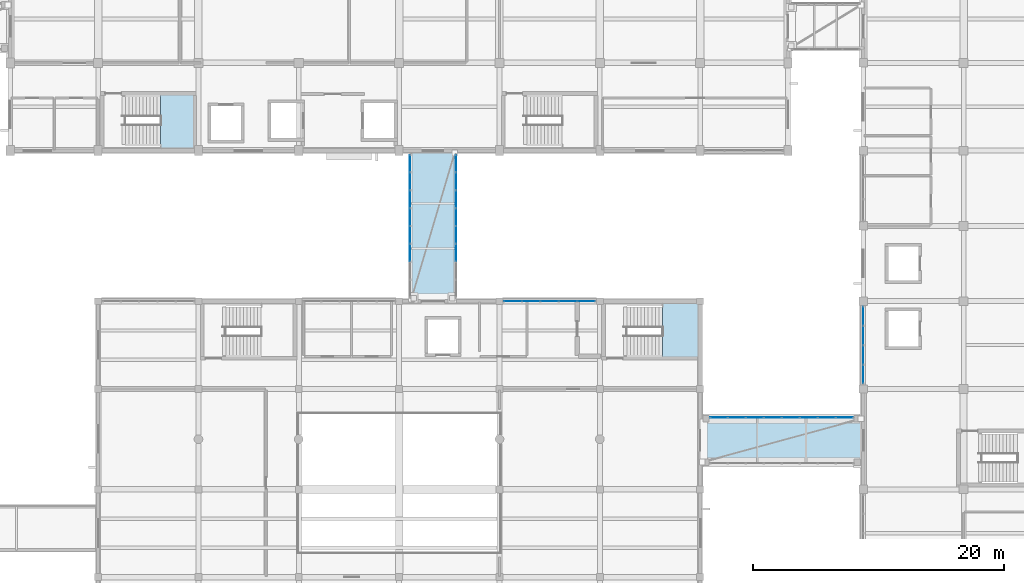
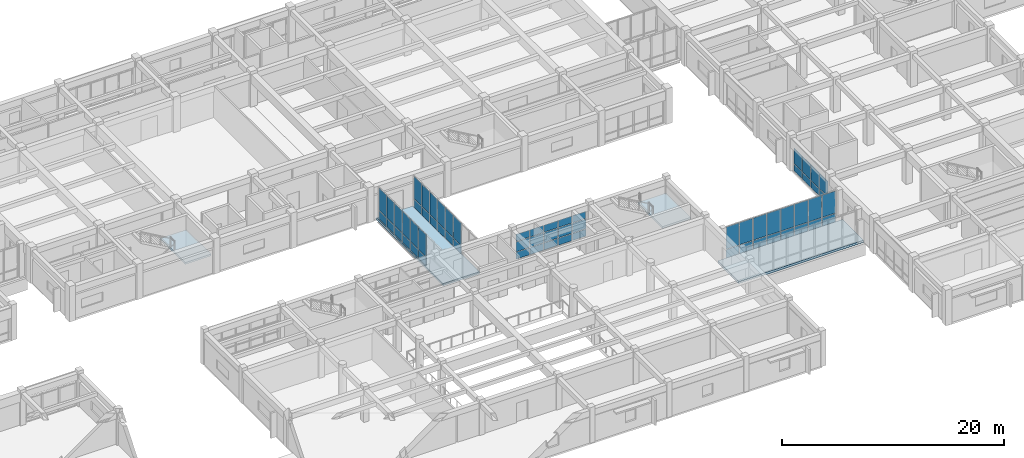
# One storey, part 39 of 66: 63 plates, 4 slabs, 7 elements without a shape of their own.
"""IFC4 building model written with IfcOpenShell, lengths in metres."""

from ifc_helpers import new_model, si_unit, direction, frame, origin, origin_2d, place, context, subcontext, project, spatial, polyline, rectangle, outline, extrude, material, layer, layer_set, type_object, element, aggregate, save


model = new_model("IFC4")

# Units and contexts
model_context = context("Model", 3, precision=1e-05, world=origin(), true_north=direction((0.0, 1.0)))
body_context = subcontext(model_context, "Body", "Model", "MODEL_VIEW")
ifc_project = project(units=[si_unit("LENGTHUNIT", "METRE"), si_unit("AREAUNIT", "SQUARE_METRE"), si_unit("VOLUMEUNIT", "CUBIC_METRE"), si_unit("PLANEANGLEUNIT", "RADIAN"), si_unit("MASSUNIT", "GRAM", prefix="KILO")], contexts=[model_context])

# Site, building, storey
site_placement = place(None, origin())
site = spatial("IfcSite", under=ifc_project, at=site_placement, CompositionType="ELEMENT")
building_placement = place(site_placement, origin())
building = spatial("IfcBuilding", under=site, at=building_placement, Name="Naurynzar Civic Courthouse", CompositionType="ELEMENT")
storey_placement = place(building_placement, frame((0.0, 0.0, 14.39990234375)))
storey = spatial("IfcBuildingStorey", under=building, at=storey_placement, Name="L04", CompositionType="ELEMENT", Elevation=14.39990234375)

# Curtain wall, plates
ifc_material_1 = material(Name="Aluminium 6063-T6", Category="aluminium")
ifc_layer_1 = layer(ifc_material_1, 0.179931640625)
ifc_layer_set_1 = layer_set([ifc_layer_1], Name="CW-UNIT-1500")
curtain_wall_type_1 = type_object("IfcCurtainWallType", Name="CW-UNIT-1500", PredefinedType="NOTDEFINED", material=ifc_layer_set_1)
curtain_wall_1_placement = place(storey_placement, origin())
curtain_wall_1 = element("IfcCurtainWall", 1, at=curtain_wall_1_placement, inside=storey, type_object=curtain_wall_type_1, Name="V3 unitised curtain wall 72 L04", PredefinedType="NOTDEFINED")
ifc_material_2 = material(Name="Tempered Laminated Low-E Glass", Category="glass")
ifc_layer_2 = layer(ifc_material_2, 0.031982421875)
ifc_layer_set_2 = layer_set([ifc_layer_2], Name="CWP-IGU-32")
plate_type = type_object("IfcPlateType", Name="CWP-IGU-32", PredefinedType="CURTAIN_PANEL", material=ifc_layer_set_2)
plate_1_placement = place(storey_placement, frame((102.074951171875, 32.0, 0.06005859375), z_axis=(0.0, 0.0, 1.0), x_axis=(1.0, 0.0, 0.0)))
plate_1 = element("IfcPlate", 2, at=plate_1_placement, type_object=plate_type, Name="CW-01 panel 1.1", PredefinedType="CURTAIN_PANEL", context=body_context, shape_type="SweptSolid", body=[
    extrude(rectangle(XDim=1.3798828125, YDim=0.031982421875, at=origin_2d()), origin(), (0.0, 0.0, 1.0), 0.760009765625),
])
plate_2_placement = place(storey_placement, frame((102.074951171875, 32.0, 0.880126953125), z_axis=(0.0, 0.0, 1.0), x_axis=(1.0, 0.0, 0.0)))
plate_2 = element("IfcPlate", 3, at=plate_2_placement, type_object=plate_type, Name="CW-01 panel 1.2", PredefinedType="CURTAIN_PANEL", context=body_context, shape_type="SweptSolid", body=[
    extrude(rectangle(XDim=1.3798828125, YDim=0.031982421875, at=origin_2d()), origin(), (0.0, 0.0, 1.0), 1.080078125),
])
plate_3_placement = place(storey_placement, frame((102.074951171875, 32.0, 2.02001953125), z_axis=(0.0, 0.0, 1.0), x_axis=(1.0, 0.0, 0.0)))
plate_3 = element("IfcPlate", 4, at=plate_3_placement, type_object=plate_type, Name="CW-01 panel 1.3", PredefinedType="CURTAIN_PANEL", context=body_context, shape_type="SweptSolid", body=[
    extrude(rectangle(XDim=1.3798828125, YDim=0.031982421875, at=origin_2d()), origin(), (0.0, 0.0, 1.0), 0.760009765625),
])
plate_4_placement = place(storey_placement, frame((103.530029296875, 32.0, 0.06005859375), z_axis=(0.0, 0.0, 1.0), x_axis=(1.0, 0.0, 0.0)))
plate_4 = element("IfcPlate", 5, at=plate_4_placement, type_object=plate_type, Name="CW-01 panel 2.1", PredefinedType="CURTAIN_PANEL", context=body_context, shape_type="SweptSolid", body=[
    extrude(rectangle(XDim=1.409912109375, YDim=0.031982421875, at=origin_2d()), origin(), (0.0, 0.0, 1.0), 0.760009765625),
])
plate_5_placement = place(storey_placement, frame((103.530029296875, 32.0, 0.880126953125), z_axis=(0.0, 0.0, 1.0), x_axis=(1.0, 0.0, 0.0)))
plate_5 = element("IfcPlate", 6, at=plate_5_placement, type_object=plate_type, Name="CW-01 panel 2.2", PredefinedType="CURTAIN_PANEL", context=body_context, shape_type="SweptSolid", body=[
    extrude(rectangle(XDim=1.409912109375, YDim=0.031982421875, at=origin_2d()), origin(), (0.0, 0.0, 1.0), 1.080078125),
])
plate_6_placement = place(storey_placement, frame((103.530029296875, 32.0, 2.02001953125), z_axis=(0.0, 0.0, 1.0), x_axis=(1.0, 0.0, 0.0)))
plate_6 = element("IfcPlate", 7, at=plate_6_placement, type_object=plate_type, Name="CW-01 panel 2.3", PredefinedType="CURTAIN_PANEL", context=body_context, shape_type="SweptSolid", body=[
    extrude(rectangle(XDim=1.409912109375, YDim=0.031982421875, at=origin_2d()), origin(), (0.0, 0.0, 1.0), 0.760009765625),
])
plate_7_placement = place(storey_placement, frame((105.0, 32.0, 0.06005859375), z_axis=(0.0, 0.0, 1.0), x_axis=(1.0, 0.0, 0.0)))
plate_7 = element("IfcPlate", 8, at=plate_7_placement, type_object=plate_type, Name="CW-01 panel 3.1", PredefinedType="CURTAIN_PANEL", context=body_context, shape_type="SweptSolid", body=[
    extrude(rectangle(XDim=1.409912109375, YDim=0.031982421875, at=origin_2d()), origin(), (0.0, 0.0, 1.0), 0.760009765625),
])
plate_8_placement = place(storey_placement, frame((105.0, 32.0, 0.880126953125), z_axis=(0.0, 0.0, 1.0), x_axis=(1.0, 0.0, 0.0)))
plate_8 = element("IfcPlate", 9, at=plate_8_placement, type_object=plate_type, Name="CW-01 panel 3.2", PredefinedType="CURTAIN_PANEL", context=body_context, shape_type="SweptSolid", body=[
    extrude(rectangle(XDim=1.409912109375, YDim=0.031982421875, at=origin_2d()), origin(), (0.0, 0.0, 1.0), 1.080078125),
])
plate_9_placement = place(storey_placement, frame((105.0, 32.0, 2.02001953125), z_axis=(0.0, 0.0, 1.0), x_axis=(1.0, 0.0, 0.0)))
plate_9 = element("IfcPlate", 10, at=plate_9_placement, type_object=plate_type, Name="CW-01 panel 3.3", PredefinedType="CURTAIN_PANEL", context=body_context, shape_type="SweptSolid", body=[
    extrude(rectangle(XDim=1.409912109375, YDim=0.031982421875, at=origin_2d()), origin(), (0.0, 0.0, 1.0), 0.760009765625),
])
plate_10_placement = place(storey_placement, frame((106.469970703125, 32.0, 0.06005859375), z_axis=(0.0, 0.0, 1.0), x_axis=(1.0, 0.0, 0.0)))
plate_10 = element("IfcPlate", 11, at=plate_10_placement, type_object=plate_type, Name="CW-01 panel 4.1", PredefinedType="CURTAIN_PANEL", context=body_context, shape_type="SweptSolid", body=[
    extrude(rectangle(XDim=1.409912109375, YDim=0.031982421875, at=origin_2d()), origin(), (0.0, 0.0, 1.0), 0.760009765625),
])
plate_11_placement = place(storey_placement, frame((106.469970703125, 32.0, 0.880126953125), z_axis=(0.0, 0.0, 1.0), x_axis=(1.0, 0.0, 0.0)))
plate_11 = element("IfcPlate", 12, at=plate_11_placement, type_object=plate_type, Name="CW-01 panel 4.2", PredefinedType="CURTAIN_PANEL", context=body_context, shape_type="SweptSolid", body=[
    extrude(rectangle(XDim=1.409912109375, YDim=0.031982421875, at=origin_2d()), origin(), (0.0, 0.0, 1.0), 1.080078125),
])
plate_12_placement = place(storey_placement, frame((106.469970703125, 32.0, 2.02001953125), z_axis=(0.0, 0.0, 1.0), x_axis=(1.0, 0.0, 0.0)))
plate_12 = element("IfcPlate", 13, at=plate_12_placement, type_object=plate_type, Name="CW-01 panel 4.3", PredefinedType="CURTAIN_PANEL", context=body_context, shape_type="SweptSolid", body=[
    extrude(rectangle(XDim=1.409912109375, YDim=0.031982421875, at=origin_2d()), origin(), (0.0, 0.0, 1.0), 0.760009765625),
])
plate_13_placement = place(storey_placement, frame((107.925048828125, 32.0, 0.06005859375), z_axis=(0.0, 0.0, 1.0), x_axis=(1.0, 0.0, 0.0)))
plate_13 = element("IfcPlate", 14, at=plate_13_placement, type_object=plate_type, Name="CW-01 panel 5.1", PredefinedType="CURTAIN_PANEL", context=body_context, shape_type="SweptSolid", body=[
    extrude(rectangle(XDim=1.3798828125, YDim=0.031982421875, at=origin_2d()), origin(), (0.0, 0.0, 1.0), 0.760009765625),
])
plate_14_placement = place(storey_placement, frame((107.925048828125, 32.0, 0.880126953125), z_axis=(0.0, 0.0, 1.0), x_axis=(1.0, 0.0, 0.0)))
plate_14 = element("IfcPlate", 15, at=plate_14_placement, type_object=plate_type, Name="CW-01 panel 5.2", PredefinedType="CURTAIN_PANEL", context=body_context, shape_type="SweptSolid", body=[
    extrude(rectangle(XDim=1.3798828125, YDim=0.031982421875, at=origin_2d()), origin(), (0.0, 0.0, 1.0), 1.080078125),
])
plate_15_placement = place(storey_placement, frame((107.925048828125, 32.0, 2.02001953125), z_axis=(0.0, 0.0, 1.0), x_axis=(1.0, 0.0, 0.0)))
plate_15 = element("IfcPlate", 16, at=plate_15_placement, type_object=plate_type, Name="CW-01 panel 5.3", PredefinedType="CURTAIN_PANEL", context=body_context, shape_type="SweptSolid", body=[
    extrude(rectangle(XDim=1.3798828125, YDim=0.031982421875, at=origin_2d()), origin(), (0.0, 0.0, 1.0), 0.760009765625),
])
aggregate(curtain_wall_1, [plate_1, plate_2, plate_3, plate_4, plate_5, plate_6, plate_7, plate_8, plate_9, plate_10, plate_11, plate_12, plate_13, plate_14, plate_15])

curtain_wall_2_placement = place(storey_placement, origin())
curtain_wall_2 = element("IfcCurtainWall", 17, at=curtain_wall_2_placement, inside=storey, type_object=curtain_wall_type_1, Name="V5 unitised curtain wall 98 L04", PredefinedType="NOTDEFINED")
plate_16_placement = place(storey_placement, frame((130.0, 26.1806640625, 0.06005859375), z_axis=(0.0, 0.0, 1.0), x_axis=(0.0, 1.0, 0.0)))
plate_16 = element("IfcPlate", 18, at=plate_16_placement, type_object=plate_type, Name="CW-01 panel 1.1", PredefinedType="CURTAIN_PANEL", context=body_context, shape_type="SweptSolid", body=[
    extrude(rectangle(XDim=1.46630859375, YDim=0.031982421875, at=origin_2d()), origin(), (0.0, 0.0, 1.0), 0.760009765625),
])
plate_17_placement = place(storey_placement, frame((130.0, 26.1806640625, 0.880126953125), z_axis=(0.0, 0.0, 1.0), x_axis=(0.0, 1.0, 0.0)))
plate_17 = element("IfcPlate", 19, at=plate_17_placement, type_object=plate_type, Name="CW-01 panel 1.2", PredefinedType="CURTAIN_PANEL", context=body_context, shape_type="SweptSolid", body=[
    extrude(rectangle(XDim=1.46630859375, YDim=0.031982421875, at=origin_2d()), origin(), (0.0, 0.0, 1.0), 1.669921875),
])
plate_18_placement = place(storey_placement, frame((130.0, 27.721923828125, 0.06005859375), z_axis=(0.0, 0.0, 1.0), x_axis=(0.0, 1.0, 0.0)))
plate_18 = element("IfcPlate", 20, at=plate_18_placement, type_object=plate_type, Name="CW-01 panel 2.1", PredefinedType="CURTAIN_PANEL", context=body_context, shape_type="SweptSolid", body=[
    extrude(rectangle(XDim=1.496337890625, YDim=0.031982421875, at=origin_2d()), origin(), (0.0, 0.0, 1.0), 0.760009765625),
])
plate_19_placement = place(storey_placement, frame((130.0, 27.721923828125, 0.880126953125), z_axis=(0.0, 0.0, 1.0), x_axis=(0.0, 1.0, 0.0)))
plate_19 = element("IfcPlate", 21, at=plate_19_placement, type_object=plate_type, Name="CW-01 panel 2.2", PredefinedType="CURTAIN_PANEL", context=body_context, shape_type="SweptSolid", body=[
    extrude(rectangle(XDim=1.496337890625, YDim=0.031982421875, at=origin_2d()), origin(), (0.0, 0.0, 1.0), 1.669921875),
])
plate_20_placement = place(storey_placement, frame((130.0, 29.278076171875, 0.06005859375), z_axis=(0.0, 0.0, 1.0), x_axis=(0.0, 1.0, 0.0)))
plate_20 = element("IfcPlate", 22, at=plate_20_placement, type_object=plate_type, Name="CW-01 panel 3.1", PredefinedType="CURTAIN_PANEL", context=body_context, shape_type="SweptSolid", body=[
    extrude(rectangle(XDim=1.496337890625, YDim=0.031982421875, at=origin_2d()), origin(), (0.0, 0.0, 1.0), 0.760009765625),
])
plate_21_placement = place(storey_placement, frame((130.0, 29.278076171875, 0.880126953125), z_axis=(0.0, 0.0, 1.0), x_axis=(0.0, 1.0, 0.0)))
plate_21 = element("IfcPlate", 23, at=plate_21_placement, type_object=plate_type, Name="CW-01 panel 3.2", PredefinedType="CURTAIN_PANEL", context=body_context, shape_type="SweptSolid", body=[
    extrude(rectangle(XDim=1.496337890625, YDim=0.031982421875, at=origin_2d()), origin(), (0.0, 0.0, 1.0), 1.669921875),
])
plate_22_placement = place(storey_placement, frame((130.0, 30.8193359375, 0.06005859375), z_axis=(0.0, 0.0, 1.0), x_axis=(0.0, 1.0, 0.0)))
plate_22 = element("IfcPlate", 24, at=plate_22_placement, type_object=plate_type, Name="CW-01 panel 4.1", PredefinedType="CURTAIN_PANEL", context=body_context, shape_type="SweptSolid", body=[
    extrude(rectangle(XDim=1.46630859375, YDim=0.031982421875, at=origin_2d()), origin(), (0.0, 0.0, 1.0), 0.760009765625),
])
plate_23_placement = place(storey_placement, frame((130.0, 30.8193359375, 0.880126953125), z_axis=(0.0, 0.0, 1.0), x_axis=(0.0, 1.0, 0.0)))
plate_23 = element("IfcPlate", 25, at=plate_23_placement, type_object=plate_type, Name="CW-01 panel 4.2", PredefinedType="CURTAIN_PANEL", context=body_context, shape_type="SweptSolid", body=[
    extrude(rectangle(XDim=1.46630859375, YDim=0.031982421875, at=origin_2d()), origin(), (0.0, 0.0, 1.0), 1.669921875),
])
aggregate(curtain_wall_2, [plate_16, plate_17, plate_18, plate_19, plate_20, plate_21, plate_22, plate_23])

ifc_material_3 = material(Name="Aluminium 6063-T6", Category="aluminium")
ifc_layer_3 = layer(ifc_material_3, 0.14990234375)
ifc_layer_set_3 = layer_set([ifc_layer_3], Name="CW-BRIDGE-1500")
curtain_wall_type_2 = type_object("IfcCurtainWallType", Name="CW-BRIDGE-1500", PredefinedType="USERDEFINED", material=ifc_layer_set_3)
curtain_wall_3_placement = place(storey_placement, origin())
curtain_wall_3 = element("IfcCurtainWall", 26, at=curtain_wall_3_placement, inside=storey, type_object=curtain_wall_type_2, Name="BR-C1 glazed bridge screen L04.1", ObjectType="GLAZED BRIDGE SCREEN", PredefinedType="USERDEFINED")
plate_24_placement = place(storey_placement, frame((93.8798828125, 42.972412109375, 0.06005859375), z_axis=(0.0, 0.0, 1.0), x_axis=(0.0, -1.0, 0.0)))
plate_24 = element("IfcPlate", 27, at=plate_24_placement, type_object=plate_type, Name="CW-03 panel 1.1", PredefinedType="CURTAIN_PANEL", context=body_context, shape_type="SweptSolid", body=[
    extrude(rectangle(XDim=1.3349609375, YDim=0.031982421875, at=origin_2d()), origin(), (0.0, 0.0, 1.0), 0.909912109375),
])
plate_25_placement = place(storey_placement, frame((93.8798828125, 42.972412109375, 1.0302734375), z_axis=(0.0, 0.0, 1.0), x_axis=(0.0, -1.0, 0.0)))
plate_25 = element("IfcPlate", 28, at=plate_25_placement, type_object=plate_type, Name="CW-03 panel 1.2", PredefinedType="CURTAIN_PANEL", context=body_context, shape_type="SweptSolid", body=[
    extrude(rectangle(XDim=1.3349609375, YDim=0.031982421875, at=origin_2d()), origin(), (0.0, 0.0, 1.0), 2.429931640625),
])
plate_26_placement = place(storey_placement, frame((93.8798828125, 41.5625, 0.06005859375), z_axis=(0.0, 0.0, 1.0), x_axis=(0.0, -1.0, 0.0)))
plate_26 = element("IfcPlate", 29, at=plate_26_placement, type_object=plate_type, Name="CW-03 panel 2.1", PredefinedType="CURTAIN_PANEL", context=body_context, shape_type="SweptSolid", body=[
    extrude(rectangle(XDim=1.364990234375, YDim=0.031982421875, at=origin_2d()), origin(), (0.0, 0.0, 1.0), 0.909912109375),
])
plate_27_placement = place(storey_placement, frame((93.8798828125, 41.5625, 1.0302734375), z_axis=(0.0, 0.0, 1.0), x_axis=(0.0, -1.0, 0.0)))
plate_27 = element("IfcPlate", 30, at=plate_27_placement, type_object=plate_type, Name="CW-03 panel 2.2", PredefinedType="CURTAIN_PANEL", context=body_context, shape_type="SweptSolid", body=[
    extrude(rectangle(XDim=1.364990234375, YDim=0.031982421875, at=origin_2d()), origin(), (0.0, 0.0, 1.0), 2.429931640625),
])
plate_28_placement = place(storey_placement, frame((93.8798828125, 40.137451171875, 0.06005859375), z_axis=(0.0, 0.0, 1.0), x_axis=(0.0, -1.0, 0.0)))
plate_28 = element("IfcPlate", 31, at=plate_28_placement, type_object=plate_type, Name="CW-03 panel 3.1", PredefinedType="CURTAIN_PANEL", context=body_context, shape_type="SweptSolid", body=[
    extrude(rectangle(XDim=1.364990234375, YDim=0.031982421875, at=origin_2d()), origin(), (0.0, 0.0, 1.0), 0.909912109375),
])
plate_29_placement = place(storey_placement, frame((93.8798828125, 40.137451171875, 1.0302734375), z_axis=(0.0, 0.0, 1.0), x_axis=(0.0, -1.0, 0.0)))
plate_29 = element("IfcPlate", 32, at=plate_29_placement, type_object=plate_type, Name="CW-03 panel 3.2", PredefinedType="CURTAIN_PANEL", context=body_context, shape_type="SweptSolid", body=[
    extrude(rectangle(XDim=1.364990234375, YDim=0.031982421875, at=origin_2d()), origin(), (0.0, 0.0, 1.0), 2.429931640625),
])
plate_30_placement = place(storey_placement, frame((93.8798828125, 38.71240234375, 0.06005859375), z_axis=(0.0, 0.0, 1.0), x_axis=(0.0, -1.0, 0.0)))
plate_30 = element("IfcPlate", 33, at=plate_30_placement, type_object=plate_type, Name="CW-03 panel 4.1", PredefinedType="CURTAIN_PANEL", context=body_context, shape_type="SweptSolid", body=[
    extrude(rectangle(XDim=1.364990234375, YDim=0.031982421875, at=origin_2d()), origin(), (0.0, 0.0, 1.0), 0.909912109375),
])
plate_31_placement = place(storey_placement, frame((93.8798828125, 38.71240234375, 1.0302734375), z_axis=(0.0, 0.0, 1.0), x_axis=(0.0, -1.0, 0.0)))
plate_31 = element("IfcPlate", 34, at=plate_31_placement, type_object=plate_type, Name="CW-03 panel 4.2", PredefinedType="CURTAIN_PANEL", context=body_context, shape_type="SweptSolid", body=[
    extrude(rectangle(XDim=1.364990234375, YDim=0.031982421875, at=origin_2d()), origin(), (0.0, 0.0, 1.0), 2.429931640625),
])
plate_32_placement = place(storey_placement, frame((93.8798828125, 37.28759765625, 0.06005859375), z_axis=(0.0, 0.0, 1.0), x_axis=(0.0, -1.0, 0.0)))
plate_32 = element("IfcPlate", 35, at=plate_32_placement, type_object=plate_type, Name="CW-03 panel 5.1", PredefinedType="CURTAIN_PANEL", context=body_context, shape_type="SweptSolid", body=[
    extrude(rectangle(XDim=1.364990234375, YDim=0.031982421875, at=origin_2d()), origin(), (0.0, 0.0, 1.0), 0.909912109375),
])
plate_33_placement = place(storey_placement, frame((93.8798828125, 37.28759765625, 1.0302734375), z_axis=(0.0, 0.0, 1.0), x_axis=(0.0, -1.0, 0.0)))
plate_33 = element("IfcPlate", 36, at=plate_33_placement, type_object=plate_type, Name="CW-03 panel 5.2", PredefinedType="CURTAIN_PANEL", context=body_context, shape_type="SweptSolid", body=[
    extrude(rectangle(XDim=1.364990234375, YDim=0.031982421875, at=origin_2d()), origin(), (0.0, 0.0, 1.0), 2.429931640625),
])
plate_34_placement = place(storey_placement, frame((93.8798828125, 35.862548828125, 0.06005859375), z_axis=(0.0, 0.0, 1.0), x_axis=(0.0, -1.0, 0.0)))
plate_34 = element("IfcPlate", 37, at=plate_34_placement, type_object=plate_type, Name="CW-03 panel 6.1", PredefinedType="CURTAIN_PANEL", context=body_context, shape_type="SweptSolid", body=[
    extrude(rectangle(XDim=1.364990234375, YDim=0.031982421875, at=origin_2d()), origin(), (0.0, 0.0, 1.0), 0.909912109375),
])
plate_35_placement = place(storey_placement, frame((93.8798828125, 35.862548828125, 1.0302734375), z_axis=(0.0, 0.0, 1.0), x_axis=(0.0, -1.0, 0.0)))
plate_35 = element("IfcPlate", 38, at=plate_35_placement, type_object=plate_type, Name="CW-03 panel 6.2", PredefinedType="CURTAIN_PANEL", context=body_context, shape_type="SweptSolid", body=[
    extrude(rectangle(XDim=1.364990234375, YDim=0.031982421875, at=origin_2d()), origin(), (0.0, 0.0, 1.0), 2.429931640625),
])
aggregate(curtain_wall_3, [plate_24, plate_25, plate_26, plate_27, plate_28, plate_29, plate_30, plate_31, plate_32, plate_33, plate_34, plate_35])

curtain_wall_4_placement = place(storey_placement, origin())
curtain_wall_4 = element("IfcCurtainWall", 39, at=curtain_wall_4_placement, inside=storey, type_object=curtain_wall_type_2, Name="BR-C1 glazed bridge screen L04.2", ObjectType="GLAZED BRIDGE SCREEN", PredefinedType="USERDEFINED")
plate_36_placement = place(storey_placement, frame((97.52001953125, 35.862548828125, 0.06005859375), z_axis=(0.0, 0.0, 1.0), x_axis=(0.0, 1.0, 0.0)))
plate_36 = element("IfcPlate", 40, at=plate_36_placement, type_object=plate_type, Name="CW-03 panel 3.1", PredefinedType="CURTAIN_PANEL", context=body_context, shape_type="SweptSolid", body=[
    extrude(rectangle(XDim=1.364990234375, YDim=0.031982421875, at=origin_2d()), origin(), (0.0, 0.0, 1.0), 0.909912109375),
])
plate_37_placement = place(storey_placement, frame((97.52001953125, 35.862548828125, 1.0302734375), z_axis=(0.0, 0.0, 1.0), x_axis=(0.0, 1.0, 0.0)))
plate_37 = element("IfcPlate", 41, at=plate_37_placement, type_object=plate_type, Name="CW-03 panel 3.2", PredefinedType="CURTAIN_PANEL", context=body_context, shape_type="SweptSolid", body=[
    extrude(rectangle(XDim=1.364990234375, YDim=0.031982421875, at=origin_2d()), origin(), (0.0, 0.0, 1.0), 2.429931640625),
])
plate_38_placement = place(storey_placement, frame((97.52001953125, 37.28759765625, 0.06005859375), z_axis=(0.0, 0.0, 1.0), x_axis=(0.0, 1.0, 0.0)))
plate_38 = element("IfcPlate", 42, at=plate_38_placement, type_object=plate_type, Name="CW-03 panel 4.1", PredefinedType="CURTAIN_PANEL", context=body_context, shape_type="SweptSolid", body=[
    extrude(rectangle(XDim=1.364990234375, YDim=0.031982421875, at=origin_2d()), origin(), (0.0, 0.0, 1.0), 0.909912109375),
])
plate_39_placement = place(storey_placement, frame((97.52001953125, 37.28759765625, 1.0302734375), z_axis=(0.0, 0.0, 1.0), x_axis=(0.0, 1.0, 0.0)))
plate_39 = element("IfcPlate", 43, at=plate_39_placement, type_object=plate_type, Name="CW-03 panel 4.2", PredefinedType="CURTAIN_PANEL", context=body_context, shape_type="SweptSolid", body=[
    extrude(rectangle(XDim=1.364990234375, YDim=0.031982421875, at=origin_2d()), origin(), (0.0, 0.0, 1.0), 2.429931640625),
])
plate_40_placement = place(storey_placement, frame((97.52001953125, 38.71240234375, 0.06005859375), z_axis=(0.0, 0.0, 1.0), x_axis=(0.0, 1.0, 0.0)))
plate_40 = element("IfcPlate", 44, at=plate_40_placement, type_object=plate_type, Name="CW-03 panel 5.1", PredefinedType="CURTAIN_PANEL", context=body_context, shape_type="SweptSolid", body=[
    extrude(rectangle(XDim=1.364990234375, YDim=0.031982421875, at=origin_2d()), origin(), (0.0, 0.0, 1.0), 0.909912109375),
])
plate_41_placement = place(storey_placement, frame((97.52001953125, 38.71240234375, 1.0302734375), z_axis=(0.0, 0.0, 1.0), x_axis=(0.0, 1.0, 0.0)))
plate_41 = element("IfcPlate", 45, at=plate_41_placement, type_object=plate_type, Name="CW-03 panel 5.2", PredefinedType="CURTAIN_PANEL", context=body_context, shape_type="SweptSolid", body=[
    extrude(rectangle(XDim=1.364990234375, YDim=0.031982421875, at=origin_2d()), origin(), (0.0, 0.0, 1.0), 2.429931640625),
])
plate_42_placement = place(storey_placement, frame((97.52001953125, 40.137451171875, 0.06005859375), z_axis=(0.0, 0.0, 1.0), x_axis=(0.0, 1.0, 0.0)))
plate_42 = element("IfcPlate", 46, at=plate_42_placement, type_object=plate_type, Name="CW-03 panel 6.1", PredefinedType="CURTAIN_PANEL", context=body_context, shape_type="SweptSolid", body=[
    extrude(rectangle(XDim=1.364990234375, YDim=0.031982421875, at=origin_2d()), origin(), (0.0, 0.0, 1.0), 0.909912109375),
])
plate_43_placement = place(storey_placement, frame((97.52001953125, 40.137451171875, 1.0302734375), z_axis=(0.0, 0.0, 1.0), x_axis=(0.0, 1.0, 0.0)))
plate_43 = element("IfcPlate", 47, at=plate_43_placement, type_object=plate_type, Name="CW-03 panel 6.2", PredefinedType="CURTAIN_PANEL", context=body_context, shape_type="SweptSolid", body=[
    extrude(rectangle(XDim=1.364990234375, YDim=0.031982421875, at=origin_2d()), origin(), (0.0, 0.0, 1.0), 2.429931640625),
])
plate_44_placement = place(storey_placement, frame((97.52001953125, 41.5625, 0.06005859375), z_axis=(0.0, 0.0, 1.0), x_axis=(0.0, 1.0, 0.0)))
plate_44 = element("IfcPlate", 48, at=plate_44_placement, type_object=plate_type, Name="CW-03 panel 7.1", PredefinedType="CURTAIN_PANEL", context=body_context, shape_type="SweptSolid", body=[
    extrude(rectangle(XDim=1.364990234375, YDim=0.031982421875, at=origin_2d()), origin(), (0.0, 0.0, 1.0), 0.909912109375),
])
plate_45_placement = place(storey_placement, frame((97.52001953125, 41.5625, 1.0302734375), z_axis=(0.0, 0.0, 1.0), x_axis=(0.0, 1.0, 0.0)))
plate_45 = element("IfcPlate", 49, at=plate_45_placement, type_object=plate_type, Name="CW-03 panel 7.2", PredefinedType="CURTAIN_PANEL", context=body_context, shape_type="SweptSolid", body=[
    extrude(rectangle(XDim=1.364990234375, YDim=0.031982421875, at=origin_2d()), origin(), (0.0, 0.0, 1.0), 2.429931640625),
])
plate_46_placement = place(storey_placement, frame((97.52001953125, 42.972412109375, 0.06005859375), z_axis=(0.0, 0.0, 1.0), x_axis=(0.0, 1.0, 0.0)))
plate_46 = element("IfcPlate", 50, at=plate_46_placement, type_object=plate_type, Name="CW-03 panel 8.1", PredefinedType="CURTAIN_PANEL", context=body_context, shape_type="SweptSolid", body=[
    extrude(rectangle(XDim=1.3349609375, YDim=0.031982421875, at=origin_2d()), origin(), (0.0, 0.0, 1.0), 0.909912109375),
])
plate_47_placement = place(storey_placement, frame((97.52001953125, 42.972412109375, 1.0302734375), z_axis=(0.0, 0.0, 1.0), x_axis=(0.0, 1.0, 0.0)))
plate_47 = element("IfcPlate", 51, at=plate_47_placement, type_object=plate_type, Name="CW-03 panel 8.2", PredefinedType="CURTAIN_PANEL", context=body_context, shape_type="SweptSolid", body=[
    extrude(rectangle(XDim=1.3349609375, YDim=0.031982421875, at=origin_2d()), origin(), (0.0, 0.0, 1.0), 2.429931640625),
])
aggregate(curtain_wall_4, [plate_36, plate_37, plate_38, plate_39, plate_40, plate_41, plate_42, plate_43, plate_44, plate_45, plate_46, plate_47])

curtain_wall_5_placement = place(storey_placement, origin())
curtain_wall_5 = element("IfcCurtainWall", 52, at=curtain_wall_5_placement, inside=storey, type_object=curtain_wall_type_2, Name="BR-E2 glazed bridge screen L04.2", ObjectType="GLAZED BRIDGE SCREEN", PredefinedType="USERDEFINED")
plate_48_placement = place(storey_placement, frame((128.507568359375, 22.719970703125, 0.06005859375), z_axis=(0.0, 0.0, 1.0), x_axis=(-1.0, 0.0, 0.0)))
plate_48 = element("IfcPlate", 53, at=plate_48_placement, type_object=plate_type, Name="CW-03 panel 1.1", PredefinedType="CURTAIN_PANEL", context=body_context, shape_type="SweptSolid", body=[
    extrude(rectangle(XDim=1.344970703125, YDim=0.031982421875, at=origin_2d()), origin(), (0.0, 0.0, 1.0), 0.909912109375),
])
plate_49_placement = place(storey_placement, frame((128.507568359375, 22.719970703125, 1.0302734375), z_axis=(0.0, 0.0, 1.0), x_axis=(-1.0, 0.0, 0.0)))
plate_49 = element("IfcPlate", 54, at=plate_49_placement, type_object=plate_type, Name="CW-03 panel 1.2", PredefinedType="CURTAIN_PANEL", context=body_context, shape_type="SweptSolid", body=[
    extrude(rectangle(XDim=1.344970703125, YDim=0.031982421875, at=origin_2d()), origin(), (0.0, 0.0, 1.0), 2.429931640625),
])
plate_50_placement = place(storey_placement, frame((127.08740234375, 22.719970703125, 0.06005859375), z_axis=(0.0, 0.0, 1.0), x_axis=(-1.0, 0.0, 0.0)))
plate_50 = element("IfcPlate", 55, at=plate_50_placement, type_object=plate_type, Name="CW-03 panel 2.1", PredefinedType="CURTAIN_PANEL", context=body_context, shape_type="SweptSolid", body=[
    extrude(rectangle(XDim=1.375, YDim=0.031982421875, at=origin_2d()), origin(), (0.0, 0.0, 1.0), 0.909912109375),
])
plate_51_placement = place(storey_placement, frame((127.08740234375, 22.719970703125, 1.0302734375), z_axis=(0.0, 0.0, 1.0), x_axis=(-1.0, 0.0, 0.0)))
plate_51 = element("IfcPlate", 56, at=plate_51_placement, type_object=plate_type, Name="CW-03 panel 2.2", PredefinedType="CURTAIN_PANEL", context=body_context, shape_type="SweptSolid", body=[
    extrude(rectangle(XDim=1.375, YDim=0.031982421875, at=origin_2d()), origin(), (0.0, 0.0, 1.0), 2.429931640625),
])
plate_52_placement = place(storey_placement, frame((125.652587890625, 22.719970703125, 0.06005859375), z_axis=(0.0, 0.0, 1.0), x_axis=(-1.0, 0.0, 0.0)))
plate_52 = element("IfcPlate", 57, at=plate_52_placement, type_object=plate_type, Name="CW-03 panel 3.1", PredefinedType="CURTAIN_PANEL", context=body_context, shape_type="SweptSolid", body=[
    extrude(rectangle(XDim=1.375, YDim=0.031982421875, at=origin_2d()), origin(), (0.0, 0.0, 1.0), 0.909912109375),
])
plate_53_placement = place(storey_placement, frame((125.652587890625, 22.719970703125, 1.0302734375), z_axis=(0.0, 0.0, 1.0), x_axis=(-1.0, 0.0, 0.0)))
plate_53 = element("IfcPlate", 58, at=plate_53_placement, type_object=plate_type, Name="CW-03 panel 3.2", PredefinedType="CURTAIN_PANEL", context=body_context, shape_type="SweptSolid", body=[
    extrude(rectangle(XDim=1.375, YDim=0.031982421875, at=origin_2d()), origin(), (0.0, 0.0, 1.0), 2.429931640625),
])
plate_54_placement = place(storey_placement, frame((124.217529296875, 22.719970703125, 0.06005859375), z_axis=(0.0, 0.0, 1.0), x_axis=(-1.0, 0.0, 0.0)))
plate_54 = element("IfcPlate", 59, at=plate_54_placement, type_object=plate_type, Name="CW-03 panel 4.1", PredefinedType="CURTAIN_PANEL", context=body_context, shape_type="SweptSolid", body=[
    extrude(rectangle(XDim=1.375, YDim=0.031982421875, at=origin_2d()), origin(), (0.0, 0.0, 1.0), 0.909912109375),
])
plate_55_placement = place(storey_placement, frame((124.217529296875, 22.719970703125, 1.0302734375), z_axis=(0.0, 0.0, 1.0), x_axis=(-1.0, 0.0, 0.0)))
plate_55 = element("IfcPlate", 60, at=plate_55_placement, type_object=plate_type, Name="CW-03 panel 4.2", PredefinedType="CURTAIN_PANEL", context=body_context, shape_type="SweptSolid", body=[
    extrude(rectangle(XDim=1.375, YDim=0.031982421875, at=origin_2d()), origin(), (0.0, 0.0, 1.0), 2.429931640625),
])
plate_56_placement = place(storey_placement, frame((122.782470703125, 22.719970703125, 0.06005859375), z_axis=(0.0, 0.0, 1.0), x_axis=(-1.0, 0.0, 0.0)))
plate_56 = element("IfcPlate", 61, at=plate_56_placement, type_object=plate_type, Name="CW-03 panel 5.1", PredefinedType="CURTAIN_PANEL", context=body_context, shape_type="SweptSolid", body=[
    extrude(rectangle(XDim=1.375, YDim=0.031982421875, at=origin_2d()), origin(), (0.0, 0.0, 1.0), 0.909912109375),
])
plate_57_placement = place(storey_placement, frame((122.782470703125, 22.719970703125, 1.0302734375), z_axis=(0.0, 0.0, 1.0), x_axis=(-1.0, 0.0, 0.0)))
plate_57 = element("IfcPlate", 62, at=plate_57_placement, type_object=plate_type, Name="CW-03 panel 5.2", PredefinedType="CURTAIN_PANEL", context=body_context, shape_type="SweptSolid", body=[
    extrude(rectangle(XDim=1.375, YDim=0.031982421875, at=origin_2d()), origin(), (0.0, 0.0, 1.0), 2.429931640625),
])
plate_58_placement = place(storey_placement, frame((121.347412109375, 22.719970703125, 0.06005859375), z_axis=(0.0, 0.0, 1.0), x_axis=(-1.0, 0.0, 0.0)))
plate_58 = element("IfcPlate", 63, at=plate_58_placement, type_object=plate_type, Name="CW-03 panel 6.1", PredefinedType="CURTAIN_PANEL", context=body_context, shape_type="SweptSolid", body=[
    extrude(rectangle(XDim=1.375, YDim=0.031982421875, at=origin_2d()), origin(), (0.0, 0.0, 1.0), 0.909912109375),
])
plate_59_placement = place(storey_placement, frame((121.347412109375, 22.719970703125, 1.0302734375), z_axis=(0.0, 0.0, 1.0), x_axis=(-1.0, 0.0, 0.0)))
plate_59 = element("IfcPlate", 64, at=plate_59_placement, type_object=plate_type, Name="CW-03 panel 6.2", PredefinedType="CURTAIN_PANEL", context=body_context, shape_type="SweptSolid", body=[
    extrude(rectangle(XDim=1.375, YDim=0.031982421875, at=origin_2d()), origin(), (0.0, 0.0, 1.0), 2.429931640625),
])
plate_60_placement = place(storey_placement, frame((119.91259765625, 22.719970703125, 0.06005859375), z_axis=(0.0, 0.0, 1.0), x_axis=(-1.0, 0.0, 0.0)))
plate_60 = element("IfcPlate", 65, at=plate_60_placement, type_object=plate_type, Name="CW-03 panel 7.1", PredefinedType="CURTAIN_PANEL", context=body_context, shape_type="SweptSolid", body=[
    extrude(rectangle(XDim=1.375, YDim=0.031982421875, at=origin_2d()), origin(), (0.0, 0.0, 1.0), 0.909912109375),
])
plate_61_placement = place(storey_placement, frame((119.91259765625, 22.719970703125, 1.0302734375), z_axis=(0.0, 0.0, 1.0), x_axis=(-1.0, 0.0, 0.0)))
plate_61 = element("IfcPlate", 66, at=plate_61_placement, type_object=plate_type, Name="CW-03 panel 7.2", PredefinedType="CURTAIN_PANEL", context=body_context, shape_type="SweptSolid", body=[
    extrude(rectangle(XDim=1.375, YDim=0.031982421875, at=origin_2d()), origin(), (0.0, 0.0, 1.0), 2.429931640625),
])
plate_62_placement = place(storey_placement, frame((118.492431640625, 22.719970703125, 0.06005859375), z_axis=(0.0, 0.0, 1.0), x_axis=(-1.0, 0.0, 0.0)))
plate_62 = element("IfcPlate", 67, at=plate_62_placement, type_object=plate_type, Name="CW-03 panel 8.1", PredefinedType="CURTAIN_PANEL", context=body_context, shape_type="SweptSolid", body=[
    extrude(rectangle(XDim=1.344970703125, YDim=0.031982421875, at=origin_2d()), origin(), (0.0, 0.0, 1.0), 0.909912109375),
])
plate_63_placement = place(storey_placement, frame((118.492431640625, 22.719970703125, 1.0302734375), z_axis=(0.0, 0.0, 1.0), x_axis=(-1.0, 0.0, 0.0)))
plate_63 = element("IfcPlate", 68, at=plate_63_placement, type_object=plate_type, Name="CW-03 panel 8.2", PredefinedType="CURTAIN_PANEL", context=body_context, shape_type="SweptSolid", body=[
    extrude(rectangle(XDim=1.344970703125, YDim=0.031982421875, at=origin_2d()), origin(), (0.0, 0.0, 1.0), 2.429931640625),
])
aggregate(curtain_wall_5, [plate_48, plate_49, plate_50, plate_51, plate_52, plate_53, plate_54, plate_55, plate_56, plate_57, plate_58, plate_59, plate_60, plate_61, plate_62, plate_63])

# Slabs
ifc_material_4 = material(Name="Concrete C35/45", Category="concrete")
ifc_layer_4 = layer(ifc_material_4, 0.239990234375)
ifc_layer_set_4 = layer_set([ifc_layer_4], Name="SLB-BRG-240")
slab_type_1 = type_object("IfcSlabType", Name="SLB-BRG-240", PredefinedType="FLOOR", material=ifc_layer_set_4)
slab_1_placement = place(storey_placement, frame((0.0, 0.0, -0.239990234375)))
element("IfcSlab", 69, at=slab_1_placement, inside=storey, type_object=slab_type_1, Name="Central Library Seismic Link Passage deck slab L04", PredefinedType="FLOOR", context=body_context, shape_type="SweptSolid", body=[
    extrude(outline(polyline([(93.820068359375, 32.02001953125), (97.580078125, 32.02001953125), (97.580078125, 43.97998046875), (93.820068359375, 43.97998046875), (93.820068359375, 32.02001953125)])), origin(), (0.0, 0.0, 1.0), 0.239990234375),
])
slab_2_placement = place(storey_placement, frame((0.0, 0.0, -0.239990234375)))
element("IfcSlab", 70, at=slab_2_placement, inside=storey, type_object=slab_type_1, Name="Southeast Courts Seismic Link Passage deck slab L04", PredefinedType="FLOOR", context=body_context, shape_type="SweptSolid", body=[
    extrude(outline(polyline([(117.02001953125, 19.02001953125), (129.97998046875, 19.02001953125), (129.97998046875, 22.780029296875), (117.02001953125, 22.780029296875), (117.02001953125, 19.02001953125)])), origin(), (0.0, 0.0, 1.0), 0.239990234375),
])

# Stair, slab
ifc_material_5 = material(Name="Concrete C35/45", Category="concrete")
stair_type = type_object("IfcStairType", Name="STAIR-CORE-1600", PredefinedType="TWO_STRAIGHT_RUN_STAIR", material=ifc_material_5)
stair_1_placement = place(storey_placement, origin())
stair_1 = element("IfcStair", 71, at=stair_1_placement, inside=storey, type_object=stair_type, Name="Enclosed escape stair ST-V2A L04", PredefinedType="TWO_STRAIGHT_RUN_STAIR")
ifc_material_6 = material(Name="Concrete C35/45", Category="concrete")
ifc_layer_5 = layer(ifc_material_6, 0.199951171875)
ifc_layer_set_5 = layer_set([ifc_layer_5], Name="SLB-LAND-200")
slab_type_2 = type_object("IfcSlabType", Name="SLB-LAND-200", PredefinedType="LANDING", material=ifc_layer_set_5)
slab_3_placement = place(storey_placement, frame((0.0, 0.0, 1.75)))
slab_3 = element("IfcSlab", 72, at=slab_3_placement, type_object=slab_type_2, Name="ST-V2A-L04 landing 1", PredefinedType="LANDING", context=body_context, shape_type="SweptSolid", body=[
    extrude(outline(polyline([(73.97998046875, 44.080078125), (76.669921875, 44.080078125), (76.669921875, 48.52001953125), (73.97998046875, 48.52001953125), (73.97998046875, 44.080078125)])), origin(), (0.0, 0.0, 1.0), 0.2001953125),
])
aggregate(stair_1, [slab_3])

stair_2_placement = place(storey_placement, origin())
stair_2 = element("IfcStair", 73, at=stair_2_placement, inside=storey, type_object=stair_type, Name="Enclosed escape stair ST-V3B L04", PredefinedType="TWO_STRAIGHT_RUN_STAIR")
slab_4_placement = place(storey_placement, frame((0.0, 0.0, 1.75)))
slab_4 = element("IfcSlab", 74, at=slab_4_placement, type_object=slab_type_2, Name="ST-V3B-L04 landing 1", PredefinedType="LANDING", context=body_context, shape_type="SweptSolid", body=[
    extrude(outline(polyline([(113.97998046875, 27.47998046875), (116.919921875, 27.47998046875), (116.919921875, 31.919921875), (113.97998046875, 31.919921875), (113.97998046875, 27.47998046875)])), origin(), (0.0, 0.0, 1.0), 0.2001953125),
])
aggregate(stair_2, [slab_4])

save(model, "model.ifc")
